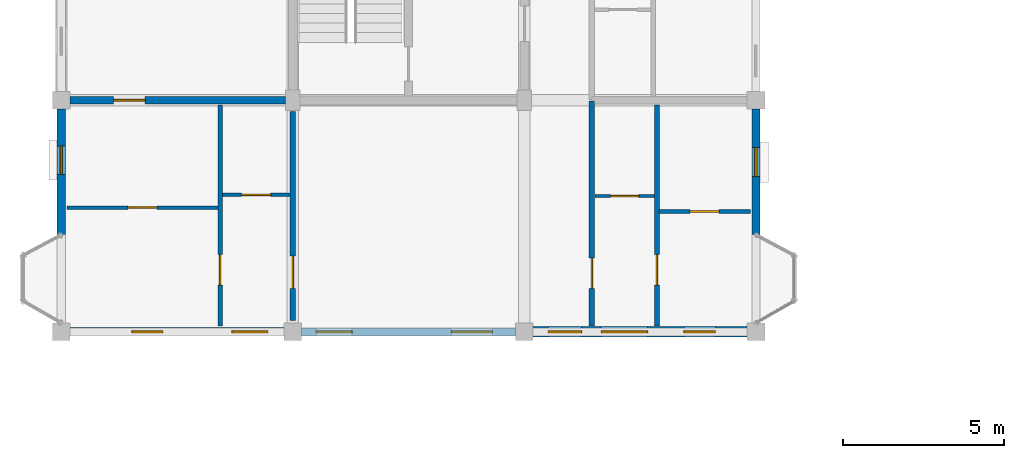
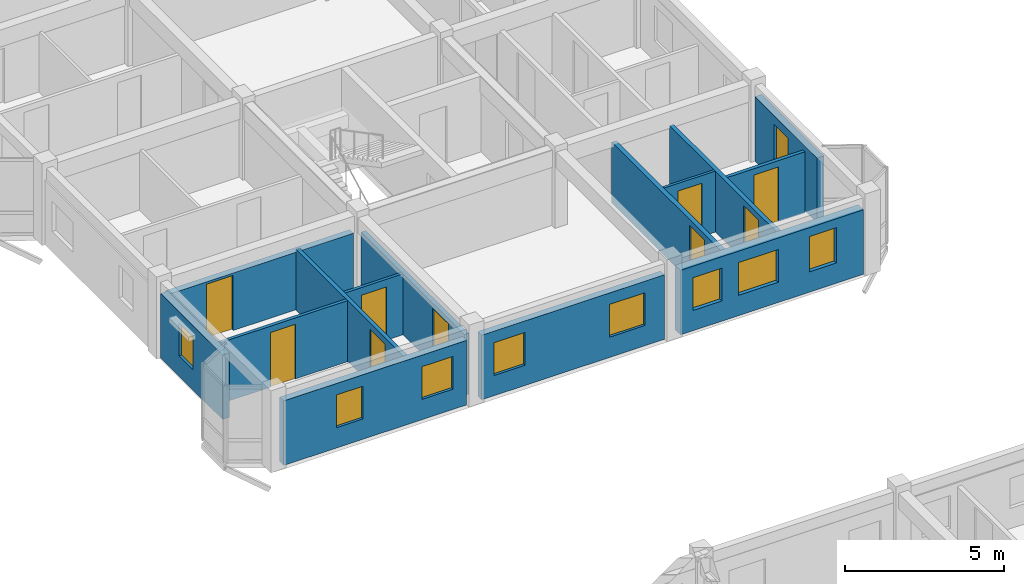
# One storey, part 55 of 77: 14 walls, 9 doors, 9 windows, 18 openings.
"""IFC4 building model written with IfcOpenShell, lengths in metres."""

from ifc_helpers import new_model, si_unit, direction, frame, frame_2d, origin, place, context, subcontext, project, spatial, rectangle, extrude, material, layer, layer_set, type_object, element, fill, save


model = new_model("IFC4")

# Units and contexts
model_context = context("Model", 3, precision=1e-05, world=origin(), true_north=direction((0.0, 1.0)))
body_context = subcontext(model_context, "Body", "Model", "MODEL_VIEW")
ifc_project = project(units=[si_unit("LENGTHUNIT", "METRE"), si_unit("AREAUNIT", "SQUARE_METRE"), si_unit("VOLUMEUNIT", "CUBIC_METRE"), si_unit("PLANEANGLEUNIT", "RADIAN"), si_unit("MASSUNIT", "GRAM", prefix="KILO"), si_unit("THERMODYNAMICTEMPERATUREUNIT", "KELVIN"), si_unit("POWERUNIT", "WATT")], contexts=[model_context])

# Site, building, storey
site_placement = place(None, origin())
site = spatial("IfcSite", under=ifc_project, at=site_placement, CompositionType="ELEMENT")
building_placement = place(site_placement, origin())
building = spatial("IfcBuilding", under=site, at=building_placement, Name="Tavuni Mirador Residences", CompositionType="ELEMENT")
storey_placement = place(building_placement, frame((0.0, 0.0, 17.10009765625)))
storey = spatial("IfcBuildingStorey", under=building, at=storey_placement, Name="L05", CompositionType="ELEMENT", Elevation=17.10009765625)

# Wall, opening, door
ifc_material_1 = material(Name="Precast concrete C40/50", Category="concrete")
ifc_layer_1 = layer(ifc_material_1, 0.1650390625, Name="Precast concrete C40/50", Category="concrete")
ifc_layer_set_1 = layer_set([ifc_layer_1], Name="Precast concrete C40/50")
wall_type_1 = type_object("IfcWallType", Name="WT-CORR165", PredefinedType="PARTITIONING", material=ifc_layer_set_1)
wall_1_placement = place(storey_placement, frame((20.10009765625, 64.97509765625, 0.0), z_axis=(0.0, 0.0, 1.0), x_axis=(0.0, 1.0, 0.0)))
wall_1 = element("IfcWall", 1, at=wall_1_placement, inside=storey, type_object=wall_type_1, Name="CORW-BLK-B-L05-0-00", PredefinedType="PARTITIONING", context=body_context, shape_type="SweptSolid", body=[
    extrude(rectangle(XDim=7.0048828125, YDim=0.1650390625, at=frame_2d((3.50244140625, 0.0))), origin(), (0.0, 0.0, 1.0), 2.344970703125),
])
opening_1_placement = place(wall_1_placement, frame((1.175048828125, 0.0, 0.0)))
opening_1 = element("IfcOpeningElement", 2, at=opening_1_placement, cuts=wall_1, Name="Opening D-19", PredefinedType="OPENING", context=body_context, shape_type="SweptSolid", body=[
    extrude(rectangle(XDim=0.93994140625, YDim=2.1201171875, at=frame_2d((0.469970703125, 1.06005859375))), frame((0.0, 0.092529296875, 0.0), z_axis=(0.0, -1.0, 0.0), x_axis=(1.0, 0.0, 0.0)), (0.0, 0.0, 1.0), 0.18505859375),
])
ifc_material_2 = material(Name="Solid core iroko timber", Category="wood")
door_type_1 = type_object("IfcDoorType", Name="DT-FD60-940", OperationType="NOTDEFINED", PredefinedType="DOOR", material=ifc_material_2)
door_1_placement = place(opening_1_placement, origin())
door_1 = element("IfcDoor", 3, at=door_1_placement, inside=storey, type_object=door_type_1, Name="DR-2569", OperationType="SINGLE_SWING_RIGHT", OverallHeight=2.1201171875, OverallWidth=0.93994140625, PredefinedType="DOOR", context=body_context, shape_type="SweptSolid", body=[
    extrude(rectangle(XDim=0.93994140625, YDim=2.1201171875, at=frame_2d((0.469970703125, 1.06005859375))), frame((0.0, 0.02490234375, 0.0), z_axis=(0.0, -1.0, 0.0), x_axis=(1.0, 0.0, 0.0)), (0.0, 0.0, 1.0), 0.050048828125),
])
fill(opening_1, door_1)

wall_2_placement = place(storey_placement, frame((10.800048828125, 65.14990234375, 0.0), z_axis=(0.0, 0.0, 1.0), x_axis=(0.0, 1.0, 0.0)))
wall_2 = element("IfcWall", 4, at=wall_2_placement, inside=storey, type_object=wall_type_1, Name="CORW-BLK-B-L05-1-00", PredefinedType="PARTITIONING", context=body_context, shape_type="SweptSolid", body=[
    extrude(rectangle(XDim=6.5, YDim=0.1650390625, at=frame_2d((3.25, 0.0))), origin(), (0.0, 0.0, 1.0), 2.344970703125),
])
opening_2_placement = place(wall_2_placement, frame((1.0, 0.0, 0.0)))
opening_2 = element("IfcOpeningElement", 5, at=opening_2_placement, cuts=wall_2, Name="Opening D-03", PredefinedType="OPENING", context=body_context, shape_type="SweptSolid", body=[
    extrude(rectangle(XDim=1.0, YDim=2.14990234375, at=frame_2d((0.5, 1.074951171875))), frame((0.0, 0.092529296875, 0.0), z_axis=(0.0, -1.0, 0.0), x_axis=(1.0, 0.0, 0.0)), (0.0, 0.0, 1.0), 0.18505859375),
])
door_type_2 = type_object("IfcDoorType", Name="DT-FD60-1000", OperationType="NOTDEFINED", PredefinedType="DOOR", material=ifc_material_2)
door_2_placement = place(opening_2_placement, origin())
door_2 = element("IfcDoor", 6, at=door_2_placement, inside=storey, type_object=door_type_2, Name="DR-2574", OperationType="SINGLE_SWING_LEFT", OverallHeight=2.14990234375, OverallWidth=1.0, PredefinedType="DOOR", context=body_context, shape_type="SweptSolid", body=[
    extrude(rectangle(XDim=1.0, YDim=2.14990234375, at=frame_2d((0.5, 1.074951171875))), frame((0.0, 0.02490234375, 0.0), z_axis=(0.0, -1.0, 0.0), x_axis=(1.0, 0.0, 0.0)), (0.0, 0.0, 1.0), 0.050048828125),
])
fill(opening_2, door_2)

# Wall, openings, windows
ifc_layer_2 = layer(ifc_material_1, 0.330078125, Name="Precast concrete C40/50", Category="concrete")
ifc_layer_set_2 = layer_set([ifc_layer_2], Name="Precast concrete C40/50")
wall_type_2 = type_object("IfcWallType", Name="WT-EXT-COR330", PredefinedType="SOLIDWALL", material=ifc_layer_set_2)
wall_3_placement = place(storey_placement, frame((18.27490234375, 64.800048828125, 0.0), z_axis=(0.0, 0.0, 1.0), x_axis=(1.0, 0.0, 0.0)))
wall_3 = element("IfcWall", 7, at=wall_3_placement, inside=storey, type_object=wall_type_2, Name="EW-BLK-B-L05-S02", PredefinedType="SOLIDWALL", context=body_context, shape_type="SweptSolid", body=[
    extrude(rectangle(XDim=6.650146484375, YDim=0.330078125, at=frame_2d((3.3251953125, 0.0))), origin(), (0.0, 0.0, 1.0), 2.47998046875),
])
opening_3_placement = place(wall_3_placement, frame((0.46240234375, 0.0, 0.780029296875)))
opening_3 = element("IfcOpeningElement", 8, at=opening_3_placement, cuts=wall_3, Name="Opening WN-11", PredefinedType="OPENING", context=body_context, shape_type="SweptSolid", body=[
    extrude(rectangle(XDim=1.0400390625, YDim=1.260009765625, at=frame_2d((0.52001953125, 0.6298828125))), frame((0.0, 0.175048828125, 0.0), z_axis=(0.0, -1.0, 0.0), x_axis=(1.0, 0.0, 0.0)), (0.0, 0.0, 1.0), 0.35009765625),
])
opening_4_placement = place(wall_3_placement, frame((2.114990234375, 0.0, 0.780029296875)))
opening_4 = element("IfcOpeningElement", 9, at=opening_4_placement, cuts=wall_3, Name="Opening WN-16", PredefinedType="OPENING", context=body_context, shape_type="SweptSolid", body=[
    extrude(rectangle(XDim=1.43994140625, YDim=1.260009765625, at=frame_2d((0.719970703125, 0.6298828125))), frame((0.0, 0.175048828125, 0.0), z_axis=(0.0, -1.0, 0.0), x_axis=(1.0, 0.0, 0.0)), (0.0, 0.0, 1.0), 0.35009765625),
])
opening_5_placement = place(wall_3_placement, frame((4.6875, 0.0, 0.780029296875)))
opening_5 = element("IfcOpeningElement", 10, at=opening_5_placement, cuts=wall_3, Name="Opening WN-18", PredefinedType="OPENING", context=body_context, shape_type="SweptSolid", body=[
    extrude(rectangle(XDim=0.97998046875, YDim=1.360107421875, at=frame_2d((0.489990234375, 0.68017578125))), frame((0.0, 0.175048828125, 0.0), z_axis=(0.0, -1.0, 0.0), x_axis=(1.0, 0.0, 0.0)), (0.0, 0.0, 1.0), 0.35009765625),
])
ifc_material_3 = material(Name="Laminated solar-control glass", Category="glass")
window_type_1 = type_object("IfcWindowType", Name="WNT-11", PartitioningType="SINGLE_PANEL", PredefinedType="WINDOW", material=ifc_material_3)
window_1_placement = place(opening_3_placement, origin())
window_1 = element("IfcWindow", 11, at=window_1_placement, inside=storey, type_object=window_type_1, Name="WIN-0698", OverallHeight=1.260009765625, OverallWidth=1.0400390625, PartitioningType="SINGLE_PANEL", PredefinedType="WINDOW", context=body_context, shape_type="SweptSolid", body=[
    extrude(rectangle(XDim=1.0400390625, YDim=1.260009765625, at=frame_2d((0.52001953125, 0.6298828125))), frame((0.0, 0.030029296875, 0.0), z_axis=(0.0, -1.0, 0.0), x_axis=(1.0, 0.0, 0.0)), (0.0, 0.0, 1.0), 0.06005859375),
])
fill(opening_3, window_1)
window_type_2 = type_object("IfcWindowType", Name="WNT-16", PartitioningType="SINGLE_PANEL", PredefinedType="WINDOW", material=ifc_material_3)
window_2_placement = place(opening_4_placement, origin())
window_2 = element("IfcWindow", 12, at=window_2_placement, inside=storey, type_object=window_type_2, Name="WIN-0699", OverallHeight=1.260009765625, OverallWidth=1.43994140625, PartitioningType="SINGLE_PANEL", PredefinedType="WINDOW", context=body_context, shape_type="SweptSolid", body=[
    extrude(rectangle(XDim=1.43994140625, YDim=1.260009765625, at=frame_2d((0.719970703125, 0.6298828125))), frame((0.0, 0.030029296875, 0.0), z_axis=(0.0, -1.0, 0.0), x_axis=(1.0, 0.0, 0.0)), (0.0, 0.0, 1.0), 0.06005859375),
])
fill(opening_4, window_2)
window_type_3 = type_object("IfcWindowType", Name="WNT-18", PartitioningType="SINGLE_PANEL", PredefinedType="WINDOW", material=ifc_material_3)
window_3_placement = place(opening_5_placement, origin())
window_3 = element("IfcWindow", 13, at=window_3_placement, inside=storey, type_object=window_type_3, Name="WIN-0700", OverallHeight=1.360107421875, OverallWidth=0.97998046875, PartitioningType="SINGLE_PANEL", PredefinedType="WINDOW", context=body_context, shape_type="SweptSolid", body=[
    extrude(rectangle(XDim=0.97998046875, YDim=1.360107421875, at=frame_2d((0.489990234375, 0.68017578125))), frame((0.0, 0.030029296875, 0.0), z_axis=(0.0, -1.0, 0.0), x_axis=(1.0, 0.0, 0.0)), (0.0, 0.0, 1.0), 0.06005859375),
])
fill(opening_5, window_3)

ifc_material_4 = material(Name="Sgraffito lime-rendered precast concrete C40/50", Category="concrete")
ifc_layer_3 = layer(ifc_material_4, 0.2451171875, Name="Sgraffito lime-rendered precast concrete C40/50", Category="concrete")
ifc_layer_set_3 = layer_set([ifc_layer_3], Name="Sgraffito lime-rendered precast concrete C40/50")
wall_type_3 = type_object("IfcWallType", Name="WT-EXT-PC245", PredefinedType="SOLIDWALL", material=ifc_layer_set_3)
wall_4_placement = place(storey_placement, frame((11.074951171875, 64.800048828125, 0.0), z_axis=(0.0, 0.0, 1.0), x_axis=(1.0, 0.0, 0.0)))
wall_4 = element("IfcWall", 14, at=wall_4_placement, inside=storey, type_object=wall_type_3, Name="EW-BLK-B-L05-S01", PredefinedType="SOLIDWALL", context=body_context, shape_type="SweptSolid", body=[
    extrude(rectangle(XDim=6.650146484375, YDim=0.2451171875, at=frame_2d((3.3251953125, 0.0))), origin(), (0.0, 0.0, 1.0), 2.47998046875),
])
opening_6_placement = place(wall_4_placement, frame((0.449951171875, 0.0, 0.780029296875)))
opening_6 = element("IfcOpeningElement", 15, at=opening_6_placement, cuts=wall_4, Name="Opening WN-12", PredefinedType="OPENING", context=body_context, shape_type="SweptSolid", body=[
    extrude(rectangle(XDim=1.1201171875, YDim=1.260009765625, at=frame_2d((0.56005859375, 0.6298828125))), frame((0.0, 0.132568359375, 0.0), z_axis=(0.0, -1.0, 0.0), x_axis=(1.0, 0.0, 0.0)), (0.0, 0.0, 1.0), 0.26513671875),
])
opening_7_placement = place(wall_4_placement, frame((4.64990234375, 0.0, 0.780029296875)))
opening_7 = element("IfcOpeningElement", 16, at=opening_7_placement, cuts=wall_4, Name="Opening WN-14", PredefinedType="OPENING", context=body_context, shape_type="SweptSolid", body=[
    extrude(rectangle(XDim=1.280029296875, YDim=1.260009765625, at=frame_2d((0.64013671875, 0.6298828125))), frame((0.0, 0.132568359375, 0.0), z_axis=(0.0, -1.0, 0.0), x_axis=(1.0, 0.0, 0.0)), (0.0, 0.0, 1.0), 0.26513671875),
])
window_type_4 = type_object("IfcWindowType", Name="WNT-12", PartitioningType="SINGLE_PANEL", PredefinedType="WINDOW", material=ifc_material_3)
window_4_placement = place(opening_6_placement, origin())
window_4 = element("IfcWindow", 17, at=window_4_placement, inside=storey, type_object=window_type_4, Name="WIN-0696", OverallHeight=1.260009765625, OverallWidth=1.1201171875, PartitioningType="SINGLE_PANEL", PredefinedType="WINDOW", context=body_context, shape_type="SweptSolid", body=[
    extrude(rectangle(XDim=1.1201171875, YDim=1.260009765625, at=frame_2d((0.56005859375, 0.6298828125))), frame((0.0, 0.030029296875, 0.0), z_axis=(0.0, -1.0, 0.0), x_axis=(1.0, 0.0, 0.0)), (0.0, 0.0, 1.0), 0.06005859375),
])
fill(opening_6, window_4)
window_type_5 = type_object("IfcWindowType", Name="WNT-14", PartitioningType="SINGLE_PANEL", PredefinedType="WINDOW", material=ifc_material_3)
window_5_placement = place(opening_7_placement, origin())
window_5 = element("IfcWindow", 18, at=window_5_placement, inside=storey, type_object=window_type_5, Name="WIN-0697", OverallHeight=1.260009765625, OverallWidth=1.280029296875, PartitioningType="SINGLE_PANEL", PredefinedType="WINDOW", context=body_context, shape_type="SweptSolid", body=[
    extrude(rectangle(XDim=1.280029296875, YDim=1.260009765625, at=frame_2d((0.64013671875, 0.6298828125))), frame((0.0, 0.030029296875, 0.0), z_axis=(0.0, -1.0, 0.0), x_axis=(1.0, 0.0, 0.0)), (0.0, 0.0, 1.0), 0.06005859375),
])
fill(opening_7, window_5)

ifc_layer_4 = layer(ifc_material_4, 0.2548828125, Name="Sgraffito lime-rendered precast concrete C40/50", Category="concrete")
ifc_layer_set_4 = layer_set([ifc_layer_4], Name="Sgraffito lime-rendered precast concrete C40/50")
wall_type_4 = type_object("IfcWallType", Name="WT-EXT-PC255", PredefinedType="SOLIDWALL", material=ifc_layer_set_4)
wall_5_placement = place(storey_placement, frame((3.875, 64.800048828125, 0.0), z_axis=(0.0, 0.0, 1.0), x_axis=(1.0, 0.0, 0.0)))
wall_5 = element("IfcWall", 19, at=wall_5_placement, inside=storey, type_object=wall_type_4, Name="EW-BLK-B-L05-S00", PredefinedType="SOLIDWALL", context=body_context, shape_type="SweptSolid", body=[
    extrude(rectangle(XDim=6.64990234375, YDim=0.2548828125, at=frame_2d((3.324951171875, 0.0))), origin(), (0.0, 0.0, 1.0), 2.47998046875),
])
opening_8_placement = place(wall_5_placement, frame((1.922607421875, 0.0, 0.780029296875)))
opening_8 = element("IfcOpeningElement", 20, at=opening_8_placement, cuts=wall_5, Name="Opening WN-10", PredefinedType="OPENING", context=body_context, shape_type="SweptSolid", body=[
    extrude(rectangle(XDim=0.9599609375, YDim=1.260009765625, at=frame_2d((0.47998046875, 0.6298828125))), frame((0.0, 0.137451171875, 0.0), z_axis=(0.0, -1.0, 0.0), x_axis=(1.0, 0.0, 0.0)), (0.0, 0.0, 1.0), 0.27490234375),
])
opening_9_placement = place(wall_5_placement, frame((5.027587890625, 0.0, 0.780029296875)))
opening_9 = element("IfcOpeningElement", 21, at=opening_9_placement, cuts=wall_5, Name="Opening WN-12", PredefinedType="OPENING", context=body_context, shape_type="SweptSolid", body=[
    extrude(rectangle(XDim=1.1201171875, YDim=1.260009765625, at=frame_2d((0.56005859375, 0.6298828125))), frame((0.0, 0.137451171875, 0.0), z_axis=(0.0, -1.0, 0.0), x_axis=(1.0, 0.0, 0.0)), (0.0, 0.0, 1.0), 0.27490234375),
])
window_type_6 = type_object("IfcWindowType", Name="WNT-10", PartitioningType="SINGLE_PANEL", PredefinedType="WINDOW", material=ifc_material_3)
window_6_placement = place(opening_8_placement, origin())
window_6 = element("IfcWindow", 22, at=window_6_placement, inside=storey, type_object=window_type_6, Name="WIN-0694", OverallHeight=1.260009765625, OverallWidth=0.9599609375, PartitioningType="SINGLE_PANEL", PredefinedType="WINDOW", context=body_context, shape_type="SweptSolid", body=[
    extrude(rectangle(XDim=0.9599609375, YDim=1.260009765625, at=frame_2d((0.47998046875, 0.6298828125))), frame((0.0, 0.030029296875, 0.0), z_axis=(0.0, -1.0, 0.0), x_axis=(1.0, 0.0, 0.0)), (0.0, 0.0, 1.0), 0.06005859375),
])
fill(opening_8, window_6)
window_7_placement = place(opening_9_placement, origin())
window_7 = element("IfcWindow", 23, at=window_7_placement, inside=storey, type_object=window_type_4, Name="WIN-0695", OverallHeight=1.260009765625, OverallWidth=1.1201171875, PartitioningType="SINGLE_PANEL", PredefinedType="WINDOW", context=body_context, shape_type="SweptSolid", body=[
    extrude(rectangle(XDim=1.1201171875, YDim=1.260009765625, at=frame_2d((0.56005859375, 0.6298828125))), frame((0.0, 0.030029296875, 0.0), z_axis=(0.0, -1.0, 0.0), x_axis=(1.0, 0.0, 0.0)), (0.0, 0.0, 1.0), 0.06005859375),
])
fill(opening_9, window_7)

# Wall, opening, window
wall_6_placement = place(storey_placement, frame((25.199951171875, 67.820068359375, 0.0), z_axis=(0.0, 0.0, 1.0), x_axis=(0.0, 1.0, 0.0)))
wall_6 = element("IfcWall", 24, at=wall_6_placement, inside=storey, type_object=wall_type_4, Name="EW-BLK-B-L05-E00", PredefinedType="SOLIDWALL", context=body_context, shape_type="SweptSolid", body=[
    extrude(rectangle(XDim=3.905029296875, YDim=0.2548828125, at=frame_2d((1.95263671875, 0.0))), origin(), (0.0, 0.0, 1.0), 2.47998046875),
])
opening_10_placement = place(wall_6_placement, frame((1.8076171875, 0.0, 0.780029296875)))
opening_10 = element("IfcOpeningElement", 25, at=opening_10_placement, cuts=wall_6, Name="Opening WN-17", PredefinedType="OPENING", context=body_context, shape_type="SweptSolid", body=[
    extrude(rectangle(XDim=0.89990234375, YDim=1.360107421875, at=frame_2d((0.449951171875, 0.68017578125))), frame((0.0, 0.137451171875, 0.0), z_axis=(0.0, -1.0, 0.0), x_axis=(1.0, 0.0, 0.0)), (0.0, 0.0, 1.0), 0.27490234375),
])
window_type_7 = type_object("IfcWindowType", Name="WNT-17", PartitioningType="SINGLE_PANEL", PredefinedType="WINDOW", material=ifc_material_3)
window_8_placement = place(opening_10_placement, origin())
window_8 = element("IfcWindow", 26, at=window_8_placement, inside=storey, type_object=window_type_7, Name="WIN-0701", OverallHeight=1.360107421875, OverallWidth=0.89990234375, PartitioningType="SINGLE_PANEL", PredefinedType="WINDOW", context=body_context, shape_type="SweptSolid", body=[
    extrude(rectangle(XDim=0.89990234375, YDim=1.360107421875, at=frame_2d((0.449951171875, 0.68017578125))), frame((0.0, 0.030029296875, 0.0), z_axis=(0.0, -1.0, 0.0), x_axis=(1.0, 0.0, 0.0)), (0.0, 0.0, 1.0), 0.06005859375),
])
fill(opening_10, window_8)

wall_7_placement = place(storey_placement, frame((3.60009765625, 71.72509765625, 0.0), z_axis=(0.0, 0.0, 1.0), x_axis=(0.0, -1.0, 0.0)))
wall_7 = element("IfcWall", 27, at=wall_7_placement, inside=storey, type_object=wall_type_4, Name="EW-BLK-B-L05-W00", PredefinedType="SOLIDWALL", context=body_context, shape_type="SweptSolid", body=[
    extrude(rectangle(XDim=3.905029296875, YDim=0.2548828125, at=frame_2d((1.95263671875, 0.0))), origin(), (0.0, 0.0, 1.0), 2.47998046875),
])
opening_11_placement = place(wall_7_placement, frame((1.1474609375, 0.0, 0.780029296875)))
opening_11 = element("IfcOpeningElement", 28, at=opening_11_placement, cuts=wall_7, Name="Opening WN-09", PredefinedType="OPENING", context=body_context, shape_type="SweptSolid", body=[
    extrude(rectangle(XDim=0.8798828125, YDim=1.260009765625, at=frame_2d((0.43994140625, 0.6298828125))), frame((0.0, 0.137451171875, 0.0), z_axis=(0.0, -1.0, 0.0), x_axis=(1.0, 0.0, 0.0)), (0.0, 0.0, 1.0), 0.27490234375),
])
window_type_8 = type_object("IfcWindowType", Name="WNT-09", PartitioningType="SINGLE_PANEL", PredefinedType="WINDOW", material=ifc_material_3)
window_9_placement = place(opening_11_placement, origin())
window_9 = element("IfcWindow", 29, at=window_9_placement, inside=storey, type_object=window_type_8, Name="WIN-0723", OverallHeight=1.260009765625, OverallWidth=0.8798828125, PartitioningType="SINGLE_PANEL", PredefinedType="WINDOW", context=body_context, shape_type="SweptSolid", body=[
    extrude(rectangle(XDim=0.8798828125, YDim=1.260009765625, at=frame_2d((0.43994140625, 0.6298828125))), frame((0.0, 0.030029296875, 0.0), z_axis=(0.0, -1.0, 0.0), x_axis=(1.0, 0.0, 0.0)), (0.0, 0.0, 1.0), 0.06005859375),
])
fill(opening_11, window_9)

# Wall, opening, door
ifc_material_5 = material(Name="Acoustic gypsum and concrete block partition", Category="concrete")
ifc_layer_5 = layer(ifc_material_5, 0.094970703125, Name="Acoustic gypsum and concrete block partition", Category="concrete")
ifc_layer_set_5 = layer_set([ifc_layer_5], Name="Acoustic gypsum and concrete block partition")
wall_type_5 = type_object("IfcWallType", Name="WT-PART095", PredefinedType="PARTITIONING", material=ifc_layer_set_5)
wall_8_placement = place(storey_placement, frame((20.18994140625, 69.02001953125, 0.0), z_axis=(0.0, 0.0, 1.0), x_axis=(1.0, 0.0, 0.0)))
wall_8 = element("IfcWall", 30, at=wall_8_placement, inside=storey, type_object=wall_type_5, Name="PW-BLK-B-L05-E00-IN1", PredefinedType="PARTITIONING", context=body_context, shape_type="SweptSolid", body=[
    extrude(rectangle(XDim=1.860107421875, YDim=0.094970703125, at=frame_2d((0.93017578125, 0.0))), origin(), (0.0, 0.0, 1.0), 2.344970703125),
])
opening_12_placement = place(wall_8_placement, frame((0.4951171875, 0.0, 0.0)))
opening_12 = element("IfcOpeningElement", 31, at=opening_12_placement, cuts=wall_8, Name="Opening D-10", PredefinedType="OPENING", context=body_context, shape_type="SweptSolid", body=[
    extrude(rectangle(XDim=0.8701171875, YDim=2.050048828125, at=frame_2d((0.43505859375, 1.02490234375))), frame((0.0, 0.0576171875, 0.0), z_axis=(0.0, -1.0, 0.0), x_axis=(1.0, 0.0, 0.0)), (0.0, 0.0, 1.0), 0.114990234375),
])
door_type_3 = type_object("IfcDoorType", Name="DT-WC870", OperationType="NOTDEFINED", PredefinedType="DOOR", material=ifc_material_2)
door_3_placement = place(opening_12_placement, origin())
door_3 = element("IfcDoor", 32, at=door_3_placement, inside=storey, type_object=door_type_3, Name="DR-3560", OperationType="SINGLE_SWING_RIGHT", OverallHeight=2.050048828125, OverallWidth=0.8701171875, PredefinedType="DOOR", context=body_context, shape_type="SweptSolid", body=[
    extrude(rectangle(XDim=0.8701171875, YDim=2.050048828125, at=frame_2d((0.43505859375, 1.02490234375))), frame((0.0, 0.02490234375, 0.0), z_axis=(0.0, -1.0, 0.0), x_axis=(1.0, 0.0, 0.0)), (0.0, 0.0, 1.0), 0.050048828125),
])
fill(opening_12, door_3)

ifc_layer_6 = layer(ifc_material_5, 0.10498046875, Name="Acoustic gypsum and concrete block partition", Category="concrete")
ifc_layer_set_6 = layer_set([ifc_layer_6], Name="Acoustic gypsum and concrete block partition")
wall_type_6 = type_object("IfcWallType", Name="WT-PART105", PredefinedType="PARTITIONING", material=ifc_layer_set_6)
wall_9_placement = place(storey_placement, frame((8.610107421875, 69.06005859375, 0.0), z_axis=(0.0, 0.0, 1.0), x_axis=(1.0, 0.0, 0.0)))
wall_9 = element("IfcWall", 33, at=wall_9_placement, inside=storey, type_object=wall_type_6, Name="PW-BLK-B-L05-W00-IN1", PredefinedType="PARTITIONING", context=body_context, shape_type="SweptSolid", body=[
    extrude(rectangle(XDim=2.099853515625, YDim=0.10498046875, at=frame_2d((1.0498046875, 0.0))), origin(), (0.0, 0.0, 1.0), 2.344970703125),
])
opening_13_placement = place(wall_9_placement, frame((0.60009765625, 0.0, 0.0)))
opening_13 = element("IfcOpeningElement", 34, at=opening_13_placement, cuts=wall_9, Name="Opening D-09", PredefinedType="OPENING", context=body_context, shape_type="SweptSolid", body=[
    extrude(rectangle(XDim=0.89990234375, YDim=2.050048828125, at=frame_2d((0.449951171875, 1.02490234375))), frame((0.0, 0.0625, 0.0), z_axis=(0.0, -1.0, 0.0), x_axis=(1.0, 0.0, 0.0)), (0.0, 0.0, 1.0), 0.125),
])
door_type_4 = type_object("IfcDoorType", Name="DT-WC900", OperationType="NOTDEFINED", PredefinedType="DOOR", material=ifc_material_2)
door_4_placement = place(opening_13_placement, origin())
door_4 = element("IfcDoor", 35, at=door_4_placement, inside=storey, type_object=door_type_4, Name="DR-3557", OperationType="SINGLE_SWING_RIGHT", OverallHeight=2.050048828125, OverallWidth=0.89990234375, PredefinedType="DOOR", context=body_context, shape_type="SweptSolid", body=[
    extrude(rectangle(XDim=0.89990234375, YDim=2.050048828125, at=frame_2d((0.449951171875, 1.02490234375))), frame((0.0, 0.02490234375, 0.0), z_axis=(0.0, -1.0, 0.0), x_axis=(1.0, 0.0, 0.0)), (0.0, 0.0, 1.0), 0.050048828125),
])
fill(opening_13, door_4)

ifc_layer_7 = layer(ifc_material_5, 0.114990234375, Name="Acoustic gypsum and concrete block partition", Category="concrete")
ifc_layer_set_7 = layer_set([ifc_layer_7], Name="Acoustic gypsum and concrete block partition")
wall_type_7 = type_object("IfcWallType", Name="WT-PART115", PredefinedType="PARTITIONING", material=ifc_layer_set_7)
wall_10_placement = place(storey_placement, frame((3.77490234375, 68.659912109375, 0.0), z_axis=(0.0, 0.0, 1.0), x_axis=(1.0, 0.0, 0.0)))
wall_10 = element("IfcWall", 36, at=wall_10_placement, inside=storey, type_object=wall_type_7, Name="PW-BLK-B-L05-W00-OUT", PredefinedType="PARTITIONING", context=body_context, shape_type="SweptSolid", body=[
    extrude(rectangle(XDim=4.695068359375, YDim=0.114990234375, at=frame_2d((2.34765625, 0.0))), origin(), (0.0, 0.0, 1.0), 2.344970703125),
])
opening_14_placement = place(wall_10_placement, frame((1.8974609375, 0.0, 0.0)))
opening_14 = element("IfcOpeningElement", 37, at=opening_14_placement, cuts=wall_10, Name="Opening D-07", PredefinedType="OPENING", context=body_context, shape_type="SweptSolid", body=[
    extrude(rectangle(XDim=0.89990234375, YDim=2.10009765625, at=frame_2d((0.449951171875, 1.050048828125))), frame((0.0, 0.0673828125, 0.0), z_axis=(0.0, -1.0, 0.0), x_axis=(1.0, 0.0, 0.0)), (0.0, 0.0, 1.0), 0.135009765625),
])
door_type_5 = type_object("IfcDoorType", Name="DT-BED900", OperationType="NOTDEFINED", PredefinedType="DOOR", material=ifc_material_2)
door_5_placement = place(opening_14_placement, origin())
door_5 = element("IfcDoor", 38, at=door_5_placement, inside=storey, type_object=door_type_5, Name="DR-3556", OperationType="SINGLE_SWING_LEFT", OverallHeight=2.10009765625, OverallWidth=0.89990234375, PredefinedType="DOOR", context=body_context, shape_type="SweptSolid", body=[
    extrude(rectangle(XDim=0.89990234375, YDim=2.10009765625, at=frame_2d((0.449951171875, 1.050048828125))), frame((0.0, 0.02490234375, 0.0), z_axis=(0.0, -1.0, 0.0), x_axis=(1.0, 0.0, 0.0)), (0.0, 0.0, 1.0), 0.050048828125),
])
fill(opening_14, door_5)

ifc_layer_8 = layer(ifc_material_5, 0.125, Name="Acoustic gypsum and concrete block partition", Category="concrete")
ifc_layer_set_8 = layer_set([ifc_layer_8], Name="Acoustic gypsum and concrete block partition")
wall_type_8 = type_object("IfcWallType", Name="WT-PART125", PredefinedType="PARTITIONING", material=ifc_layer_set_8)
wall_11_placement = place(storey_placement, frame((22.18994140625, 68.5400390625, 0.0), z_axis=(0.0, 0.0, 1.0), x_axis=(1.0, 0.0, 0.0)))
wall_11 = element("IfcWall", 39, at=wall_11_placement, inside=storey, type_object=wall_type_8, Name="PW-BLK-B-L05-E00-OUT", PredefinedType="PARTITIONING", context=body_context, shape_type="SweptSolid", body=[
    extrude(rectangle(XDim=2.8349609375, YDim=0.125, at=frame_2d((1.41748046875, 0.0))), origin(), (0.0, 0.0, 1.0), 2.344970703125),
])
opening_15_placement = place(wall_11_placement, frame((0.967529296875, 0.0, 0.0)))
opening_15 = element("IfcOpeningElement", 40, at=opening_15_placement, cuts=wall_11, Name="Opening D-07", PredefinedType="OPENING", context=body_context, shape_type="SweptSolid", body=[
    extrude(rectangle(XDim=0.89990234375, YDim=2.10009765625, at=frame_2d((0.449951171875, 1.050048828125))), frame((0.0, 0.072509765625, 0.0), z_axis=(0.0, -1.0, 0.0), x_axis=(1.0, 0.0, 0.0)), (0.0, 0.0, 1.0), 0.14501953125),
])
door_6_placement = place(opening_15_placement, origin())
door_6 = element("IfcDoor", 41, at=door_6_placement, inside=storey, type_object=door_type_5, Name="DR-3559", OperationType="SINGLE_SWING_LEFT", OverallHeight=2.10009765625, OverallWidth=0.89990234375, PredefinedType="DOOR", context=body_context, shape_type="SweptSolid", body=[
    extrude(rectangle(XDim=0.89990234375, YDim=2.10009765625, at=frame_2d((0.449951171875, 1.050048828125))), frame((0.0, 0.02490234375, 0.0), z_axis=(0.0, -1.0, 0.0), x_axis=(1.0, 0.0, 0.0)), (0.0, 0.0, 1.0), 0.050048828125),
])
fill(opening_15, door_6)

ifc_layer_9 = layer(ifc_material_5, 0.139892578125, Name="Acoustic gypsum and concrete block partition", Category="concrete")
ifc_layer_set_9 = layer_set([ifc_layer_9], Name="Acoustic gypsum and concrete block partition")
wall_type_9 = type_object("IfcWallType", Name="WT-PART140", PredefinedType="PARTITIONING", material=ifc_layer_set_9)
wall_12_placement = place(storey_placement, frame((8.5400390625, 64.97509765625, 0.0), z_axis=(0.0, 0.0, 1.0), x_axis=(0.0, 1.0, 0.0)))
wall_12 = element("IfcWall", 42, at=wall_12_placement, inside=storey, type_object=wall_type_9, Name="PW-BLK-B-L05-W00-MID", PredefinedType="PARTITIONING", context=body_context, shape_type="SweptSolid", body=[
    extrude(rectangle(XDim=6.885009765625, YDim=0.139892578125, at=frame_2d((3.4423828125, 0.0))), origin(), (0.0, 0.0, 1.0), 2.344970703125),
])
opening_16_placement = place(wall_12_placement, frame((1.27490234375, 0.0, 0.0)))
opening_16 = element("IfcOpeningElement", 43, at=opening_16_placement, cuts=wall_12, Name="Opening D-05", PredefinedType="OPENING", context=body_context, shape_type="SweptSolid", body=[
    extrude(rectangle(XDim=0.949951171875, YDim=2.10009765625, at=frame_2d((0.47509765625, 1.050048828125))), frame((0.0, 0.080078125, 0.0), z_axis=(0.0, -1.0, 0.0), x_axis=(1.0, 0.0, 0.0)), (0.0, 0.0, 1.0), 0.159912109375),
])
door_type_6 = type_object("IfcDoorType", Name="DT-INT950", OperationType="NOTDEFINED", PredefinedType="DOOR", material=ifc_material_2)
door_7_placement = place(opening_16_placement, origin())
door_7 = element("IfcDoor", 44, at=door_7_placement, inside=storey, type_object=door_type_6, Name="DR-3558", OperationType="SINGLE_SWING_LEFT", OverallHeight=2.10009765625, OverallWidth=0.949951171875, PredefinedType="DOOR", context=body_context, shape_type="SweptSolid", body=[
    extrude(rectangle(XDim=0.949951171875, YDim=2.10009765625, at=frame_2d((0.47509765625, 1.050048828125))), frame((0.0, 0.02490234375, 0.0), z_axis=(0.0, -1.0, 0.0), x_axis=(1.0, 0.0, 0.0)), (0.0, 0.0, 1.0), 0.050048828125),
])
fill(opening_16, door_7)

ifc_layer_10 = layer(ifc_material_5, 0.14990234375, Name="Acoustic gypsum and concrete block partition", Category="concrete")
ifc_layer_set_10 = layer_set([ifc_layer_10], Name="Acoustic gypsum and concrete block partition")
wall_type_10 = type_object("IfcWallType", Name="WT-PART150", PredefinedType="PARTITIONING", material=ifc_layer_set_10)
wall_13_placement = place(storey_placement, frame((22.1201171875, 64.97509765625, 0.0), z_axis=(0.0, 0.0, 1.0), x_axis=(0.0, 1.0, 0.0)))
wall_13 = element("IfcWall", 45, at=wall_13_placement, inside=storey, type_object=wall_type_10, Name="PW-BLK-B-L05-E00-MID", PredefinedType="PARTITIONING", context=body_context, shape_type="SweptSolid", body=[
    extrude(rectangle(XDim=6.885009765625, YDim=0.14990234375, at=frame_2d((3.4423828125, 0.0))), origin(), (0.0, 0.0, 1.0), 2.344970703125),
])
opening_17_placement = place(wall_13_placement, frame((1.27490234375, 0.0, 0.0)))
opening_17 = element("IfcOpeningElement", 46, at=opening_17_placement, cuts=wall_13, Name="Opening D-05", PredefinedType="OPENING", context=body_context, shape_type="SweptSolid", body=[
    extrude(rectangle(XDim=0.949951171875, YDim=2.10009765625, at=frame_2d((0.47509765625, 1.050048828125))), frame((0.0, 0.0849609375, 0.0), z_axis=(0.0, -1.0, 0.0), x_axis=(1.0, 0.0, 0.0)), (0.0, 0.0, 1.0), 0.169921875),
])
door_8_placement = place(opening_17_placement, origin())
door_8 = element("IfcDoor", 47, at=door_8_placement, inside=storey, type_object=door_type_6, Name="DR-3561", OperationType="SINGLE_SWING_LEFT", OverallHeight=2.10009765625, OverallWidth=0.949951171875, PredefinedType="DOOR", context=body_context, shape_type="SweptSolid", body=[
    extrude(rectangle(XDim=0.949951171875, YDim=2.10009765625, at=frame_2d((0.47509765625, 1.050048828125))), frame((0.0, 0.02490234375, 0.0), z_axis=(0.0, -1.0, 0.0), x_axis=(1.0, 0.0, 0.0)), (0.0, 0.0, 1.0), 0.050048828125),
])
fill(opening_17, door_8)

ifc_layer_11 = layer(ifc_material_1, 0.235107421875, Name="Precast concrete C40/50", Category="concrete")
ifc_layer_set_11 = layer_set([ifc_layer_11], Name="Precast concrete C40/50")
wall_type_11 = type_object("IfcWallType", Name="WT-XW235", PredefinedType="SOLIDWALL", material=ifc_layer_set_11)
wall_14_placement = place(storey_placement, frame((3.875, 72.0, 0.0), z_axis=(0.0, 0.0, 1.0), x_axis=(1.0, 0.0, 0.0)))
wall_14 = element("IfcWall", 48, at=wall_14_placement, inside=storey, type_object=wall_type_11, Name="XW-BLK-B-L05-W-01", PredefinedType="SOLIDWALL", context=body_context, shape_type="SweptSolid", body=[
    extrude(rectangle(XDim=6.699951171875, YDim=0.235107421875, at=frame_2d((3.35009765625, 0.0))), origin(), (0.0, 0.0, 1.0), 2.2099609375),
])
opening_18_placement = place(wall_14_placement, frame((1.35009765625, 0.0, 0.0)))
opening_18 = element("IfcOpeningElement", 49, at=opening_18_placement, cuts=wall_14, Name="Opening D-04", PredefinedType="OPENING", context=body_context, shape_type="SweptSolid", body=[
    extrude(rectangle(XDim=0.97998046875, YDim=2.1201171875, at=frame_2d((0.489990234375, 1.06005859375))), frame((0.0, 0.12744140625, 0.0), z_axis=(0.0, -1.0, 0.0), x_axis=(1.0, 0.0, 0.0)), (0.0, 0.0, 1.0), 0.255126953125),
])
door_type_7 = type_object("IfcDoorType", Name="DT-FD60-980", OperationType="NOTDEFINED", PredefinedType="DOOR", material=ifc_material_2)
door_9_placement = place(opening_18_placement, origin())
door_9 = element("IfcDoor", 50, at=door_9_placement, inside=storey, type_object=door_type_7, Name="DR-4718", OperationType="SINGLE_SWING_LEFT", OverallHeight=2.1201171875, OverallWidth=0.97998046875, PredefinedType="DOOR", context=body_context, shape_type="SweptSolid", body=[
    extrude(rectangle(XDim=0.97998046875, YDim=2.1201171875, at=frame_2d((0.489990234375, 1.06005859375))), frame((0.0, 0.02490234375, 0.0), z_axis=(0.0, -1.0, 0.0), x_axis=(1.0, 0.0, 0.0)), (0.0, 0.0, 1.0), 0.050048828125),
])
fill(opening_18, door_9)

save(model, "model.ifc")
